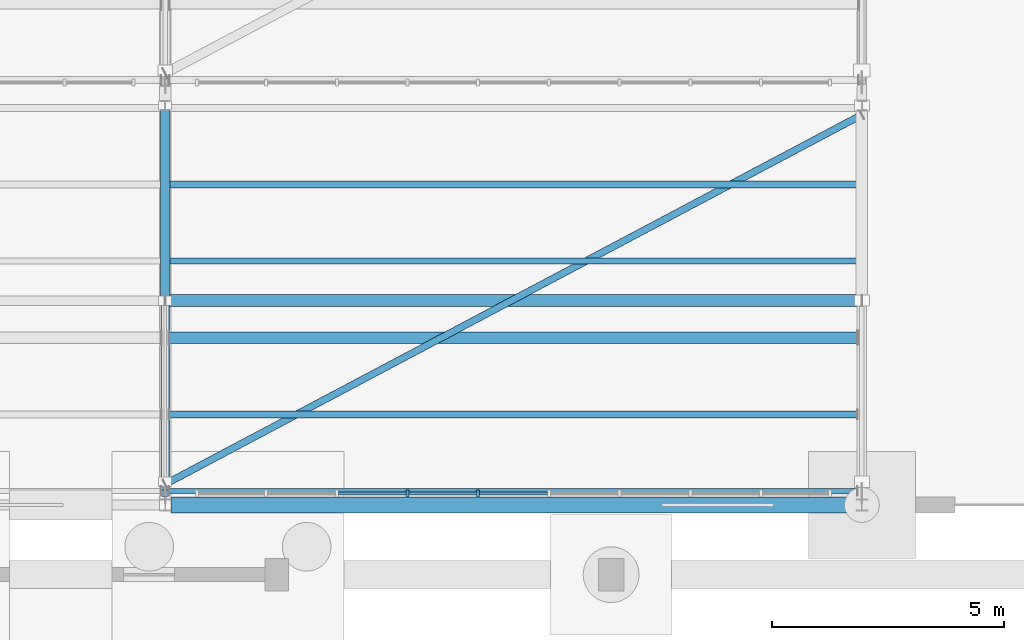
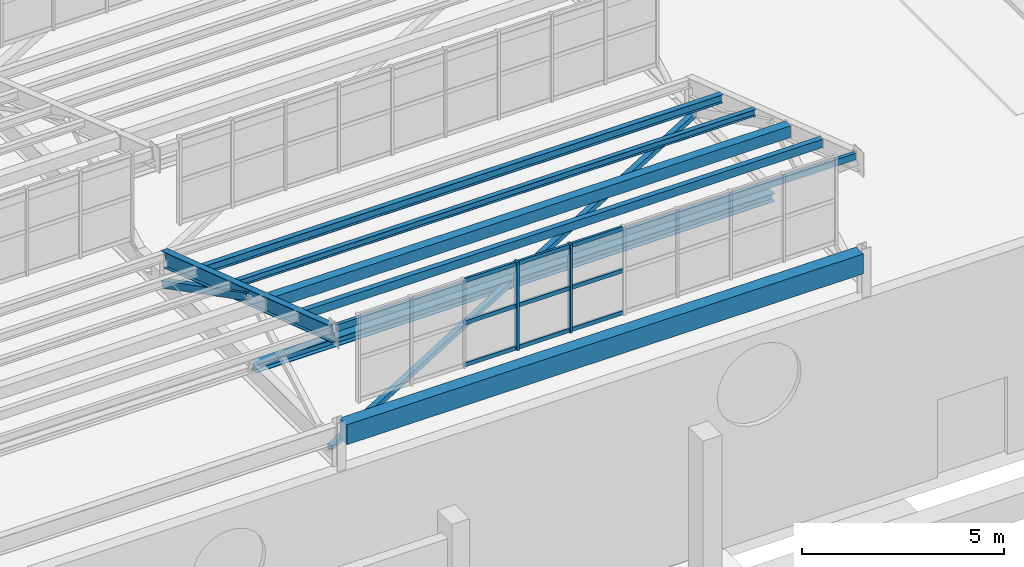
# One storey, part 47 of 285: 14 members, 7 beams, 1 element without a shape of its own.
"""IFC4 building model written with IfcOpenShell, lengths in metres."""

from ifc_helpers import new_model, si_unit, direction, frame, origin, origin_2d, place, context, subcontext, project, spatial, rectangle, hollow_rectangle, i_section, extrude, material, material_profile, profile_set, type_object, element, aggregate, save


model = new_model("IFC4")

# Units and contexts
model_context = context("Model", 3, precision=1e-05, world=origin(), true_north=direction((0.0, 1.0)))
body_context = subcontext(model_context, "Body", "Model", "MODEL_VIEW")
ifc_project = project(units=[si_unit("LENGTHUNIT", "METRE"), si_unit("AREAUNIT", "SQUARE_METRE"), si_unit("VOLUMEUNIT", "CUBIC_METRE"), si_unit("PLANEANGLEUNIT", "RADIAN"), si_unit("MASSUNIT", "GRAM", prefix="KILO")], contexts=[model_context])

# Site, building, storey
site_placement = place(None, origin())
site = spatial("IfcSite", under=ifc_project, at=site_placement, CompositionType="ELEMENT")
building_placement = place(site_placement, origin())
building = spatial("IfcBuilding", under=site, at=building_placement, Name="Solanera Park Tramway Depot", CompositionType="ELEMENT")
storey_placement = place(building_placement, origin())
storey = spatial("IfcBuildingStorey", under=building, at=storey_placement, Name="L00", CompositionType="ELEMENT", Elevation=0.0)

# Curtain wall, members
ifc_material_1 = material(Name="Bronze-anodised thermally broken aluminium curtain wall", Category="aluminium")
curtain_wall_type = type_object("IfcCurtainWallType", Name="Sawtooth Clerestory Monitor Curtain Wall", PredefinedType="NOTDEFINED", material=ifc_material_1)
curtain_wall_placement = place(storey_placement, origin())
curtain_wall = element("IfcCurtainWall", 1, at=curtain_wall_placement, inside=storey, type_object=curtain_wall_type, Name="L00 Sawtooth Clerestory Monitor Curtain Wall #003", PredefinedType="NOTDEFINED")
ifc_material_2 = material(Name="Bronze-anodised structural aluminium 6063-T6", Category="aluminium")
ifc_material_profile_1 = material_profile(ifc_material_2, rectangle(XDim=0.06494140625, YDim=0.14990234375, at=origin_2d()), Name="Curtain Wall Mullion 65x150")
ifc_profile_set_1 = profile_set([ifc_material_profile_1], Name="Bronze-anodised structural aluminium 6063-T6")
member_type_1 = type_object("IfcMemberType", Name="Curtain Wall Mullion 65x150", PredefinedType="MULLION", material=ifc_profile_set_1)
member_1_placement = place(storey_placement, frame((125.216796875, 55.75, 7.75), z_axis=(0.0, 0.0, 1.0), x_axis=(1.0, 0.0, 0.0)))
member_1 = element("IfcMember", 2, at=member_1_placement, type_object=member_type_1, Name="CW-L00-003 Mullion 4", PredefinedType="MULLION", context=body_context, shape_type="SweptSolid", body=[
    extrude(rectangle(XDim=0.06494140625, YDim=0.14990234375, at=origin_2d()), origin(), (0.0, 0.0, 1.0), 2.6611328125),
])
member_2_placement = place(storey_placement, frame((126.739013671875, 55.75, 7.75), z_axis=(0.0, 0.0, 1.0), x_axis=(1.0, 0.0, 0.0)))
member_2 = element("IfcMember", 3, at=member_2_placement, type_object=member_type_1, Name="CW-L00-003 Mullion 5", PredefinedType="MULLION", context=body_context, shape_type="SweptSolid", body=[
    extrude(rectangle(XDim=0.06494140625, YDim=0.14990234375, at=origin_2d()), origin(), (0.0, 0.0, 1.0), 2.6611328125),
])
ifc_material_3 = material(Name="Bronze-anodised structural aluminium 6063-T6", Category="aluminium")
ifc_material_profile_2 = material_profile(ifc_material_3, rectangle(XDim=0.06494140625, YDim=0.1201171875, at=origin_2d()), Name="Curtain Wall Transom 65x120")
ifc_profile_set_2 = profile_set([ifc_material_profile_2], Name="Bronze-anodised structural aluminium 6063-T6")
member_type_2 = type_object("IfcMemberType", Name="Curtain Wall Transom 65x120", PredefinedType="USERDEFINED", material=ifc_profile_set_2)
member_3_placement = place(storey_placement, frame((123.722412109375, 55.75, 7.81005859375), z_axis=(1.0, 0.0, 0.0), x_axis=(0.0, 1.0, 0.0)))
member_3 = element("IfcMember", 4, at=member_3_placement, type_object=member_type_2, Name="CW-L00-003 Transom R1.C3", ObjectType="TRANSOM", PredefinedType="USERDEFINED", context=body_context, shape_type="SweptSolid", body=[
    extrude(rectangle(XDim=0.06494140625, YDim=0.1201171875, at=origin_2d()), origin(), (0.0, 0.0, 1.0), 1.46630859375),
])
member_4_placement = place(storey_placement, frame((125.24462890625, 55.75, 7.81005859375), z_axis=(1.0, 0.0, 0.0), x_axis=(0.0, 1.0, 0.0)))
member_4 = element("IfcMember", 5, at=member_4_placement, type_object=member_type_2, Name="CW-L00-003 Transom R1.C4", ObjectType="TRANSOM", PredefinedType="USERDEFINED", context=body_context, shape_type="SweptSolid", body=[
    extrude(rectangle(XDim=0.06494140625, YDim=0.1201171875, at=origin_2d()), origin(), (0.0, 0.0, 1.0), 1.46630859375),
])
member_5_placement = place(storey_placement, frame((126.766845703125, 55.75, 7.81005859375), z_axis=(1.0, 0.0, 0.0), x_axis=(0.0, 1.0, 0.0)))
member_5 = element("IfcMember", 6, at=member_5_placement, type_object=member_type_2, Name="CW-L00-003 Transom R1.C5", ObjectType="TRANSOM", PredefinedType="USERDEFINED", context=body_context, shape_type="SweptSolid", body=[
    extrude(rectangle(XDim=0.06494140625, YDim=0.1201171875, at=origin_2d()), origin(), (0.0, 0.0, 1.0), 1.46630859375),
])
member_6_placement = place(storey_placement, frame((123.722412109375, 55.75, 9.08056640625), z_axis=(1.0, 0.0, 0.0), x_axis=(0.0, 1.0, 0.0)))
member_6 = element("IfcMember", 7, at=member_6_placement, type_object=member_type_2, Name="CW-L00-003 Transom R2.C3", ObjectType="TRANSOM", PredefinedType="USERDEFINED", context=body_context, shape_type="SweptSolid", body=[
    extrude(rectangle(XDim=0.06494140625, YDim=0.1201171875, at=origin_2d()), origin(), (0.0, 0.0, 1.0), 1.46630859375),
])
member_7_placement = place(storey_placement, frame((125.24462890625, 55.75, 9.08056640625), z_axis=(1.0, 0.0, 0.0), x_axis=(0.0, 1.0, 0.0)))
member_7 = element("IfcMember", 8, at=member_7_placement, type_object=member_type_2, Name="CW-L00-003 Transom R2.C4", ObjectType="TRANSOM", PredefinedType="USERDEFINED", context=body_context, shape_type="SweptSolid", body=[
    extrude(rectangle(XDim=0.06494140625, YDim=0.1201171875, at=origin_2d()), origin(), (0.0, 0.0, 1.0), 1.46630859375),
])
member_8_placement = place(storey_placement, frame((126.766845703125, 55.75, 9.08056640625), z_axis=(1.0, 0.0, 0.0), x_axis=(0.0, 1.0, 0.0)))
member_8 = element("IfcMember", 9, at=member_8_placement, type_object=member_type_2, Name="CW-L00-003 Transom R2.C5", ObjectType="TRANSOM", PredefinedType="USERDEFINED", context=body_context, shape_type="SweptSolid", body=[
    extrude(rectangle(XDim=0.06494140625, YDim=0.1201171875, at=origin_2d()), origin(), (0.0, 0.0, 1.0), 1.46630859375),
])
member_9_placement = place(storey_placement, frame((123.722412109375, 55.75, 10.351318359375), z_axis=(1.0, 0.0, 0.0), x_axis=(0.0, 1.0, 0.0)))
member_9 = element("IfcMember", 10, at=member_9_placement, type_object=member_type_2, Name="CW-L00-003 Transom R3.C3", ObjectType="TRANSOM", PredefinedType="USERDEFINED", context=body_context, shape_type="SweptSolid", body=[
    extrude(rectangle(XDim=0.06494140625, YDim=0.1201171875, at=origin_2d()), origin(), (0.0, 0.0, 1.0), 1.46630859375),
])
member_10_placement = place(storey_placement, frame((125.24462890625, 55.75, 10.351318359375), z_axis=(1.0, 0.0, 0.0), x_axis=(0.0, 1.0, 0.0)))
member_10 = element("IfcMember", 11, at=member_10_placement, type_object=member_type_2, Name="CW-L00-003 Transom R3.C4", ObjectType="TRANSOM", PredefinedType="USERDEFINED", context=body_context, shape_type="SweptSolid", body=[
    extrude(rectangle(XDim=0.06494140625, YDim=0.1201171875, at=origin_2d()), origin(), (0.0, 0.0, 1.0), 1.46630859375),
])
member_11_placement = place(storey_placement, frame((126.766845703125, 55.75, 10.351318359375), z_axis=(1.0, 0.0, 0.0), x_axis=(0.0, 1.0, 0.0)))
member_11 = element("IfcMember", 12, at=member_11_placement, type_object=member_type_2, Name="CW-L00-003 Transom R3.C5", ObjectType="TRANSOM", PredefinedType="USERDEFINED", context=body_context, shape_type="SweptSolid", body=[
    extrude(rectangle(XDim=0.06494140625, YDim=0.1201171875, at=origin_2d()), origin(), (0.0, 0.0, 1.0), 1.46630859375),
])
aggregate(curtain_wall, [member_1, member_2, member_3, member_4, member_5, member_6, member_7, member_8, member_9, member_10, member_11])

# Beam
ifc_material_4 = material(Name="Concrete N40 (C40/50)", Category="concrete")
ifc_material_profile_3 = material_profile(ifc_material_4, rectangle(XDim=0.35009765625, YDim=0.60009765625, at=origin_2d()), Name="SPB 350x600")
ifc_profile_set_3 = profile_set([ifc_material_profile_3], Name="Concrete N40 (C40/50)")
beam_type_1 = type_object("IfcBeamType", Name="Perimeter Spandrel Beam SPB 350x600", PredefinedType="SPANDREL", material=ifc_profile_set_3)
beam_1_placement = place(storey_placement, frame((120.1201171875, 55.5, 7.199951171875), z_axis=(1.0, 0.0, 0.0), x_axis=(0.0, 1.0, 0.0)))
element("IfcBeam", 13, at=beam_1_placement, inside=storey, type_object=beam_type_1, Name="L00 Hall Eave Spandrel SPB 350x600 #0292", PredefinedType="SPANDREL", context=body_context, shape_type="SweptSolid", body=[
    extrude(rectangle(XDim=0.35009765625, YDim=0.60009765625, at=origin_2d()), origin(), (0.0, 0.0, 1.0), 14.759765625),
])

# Member
ifc_material_5 = material(Name="Steel AS/NZS 3679.1 Grade 350", Category="steel")
ifc_material_profile_4 = material_profile(ifc_material_5, i_section(OverallWidth=0.25390625, OverallDepth=0.25390625, WebThickness=0.008544921875, FlangeThickness=0.01416015625, at=origin_2d()), Name="250UC72.9")
ifc_profile_set_4 = profile_set([ifc_material_profile_4], Name="Steel AS/NZS 3679.1 Grade 350")
member_type_3 = type_object("IfcMemberType", Name="Secondary Truss Chord 250UC72.9", PredefinedType="CHORD", material=ifc_profile_set_4)
member_12_placement = place(storey_placement, frame((120.087890625, 59.89990234375, 6.5), z_axis=(1.0, 0.0, 0.0), x_axis=(0.0, 1.0, 0.0)))
element("IfcMember", 14, at=member_12_placement, inside=storey, type_object=member_type_3, Name="Sawtooth Longitudinal Tie Chord 250UC72.9 #0044", PredefinedType="CHORD", context=body_context, shape_type="SweptSolid", body=[
    extrude(i_section(OverallWidth=0.25390625, OverallDepth=0.25390625, WebThickness=0.008544921875, FlangeThickness=0.01416015625, at=origin_2d()), origin(), (0.0, 0.0, 1.0), 14.82421875),
])

# Beams
ifc_material_6 = material(Name="Steel AS/NZS 3679.1 Grade 350", Category="steel")
ifc_material_profile_5 = material_profile(ifc_material_6, i_section(OverallWidth=0.1904296875, OverallDepth=0.45751953125, WebThickness=0.009033203125, FlangeThickness=0.014404296875, at=origin_2d()), Name="460UB74.6")
ifc_profile_set_5 = profile_set([ifc_material_profile_5], Name="Steel AS/NZS 3679.1 Grade 350")
beam_type_2 = type_object("IfcBeamType", Name="Steel Beam 460UB74.6", PredefinedType="BEAM", material=ifc_profile_set_5)
beam_2_placement = place(storey_placement, frame((120.0, 55.75, 10.05615234375), z_axis=(0.0, 0.948322229475, -0.317308917435), x_axis=(-1.0, 0.0, 0.0)))
element("IfcBeam", 15, at=beam_2_placement, inside=storey, type_object=beam_type_2, Name="Sawtooth ROOF TRUSS Top Rafter 460UB74.6 B01-T8", PredefinedType="BEAM", context=body_context, shape_type="SweptSolid", body=[
    extrude(i_section(OverallWidth=0.1904296875, OverallDepth=0.45751953125, WebThickness=0.009033203125, FlangeThickness=0.014404296875, at=origin_2d()), origin(), (0.0, 0.0, 1.0), 8.80517578125),
])
ifc_material_7 = material(Name="Steel AS/NZS 3679.1 Grade 350", Category="steel")
ifc_material_profile_6 = material_profile(ifc_material_7, i_section(OverallWidth=0.13330078125, OverallDepth=0.203125, WebThickness=0.005859375, FlangeThickness=0.0078125, at=origin_2d()), Name="200UB25.4")
ifc_profile_set_6 = profile_set([ifc_material_profile_6], Name="Steel AS/NZS 3679.1 Grade 350")
beam_type_3 = type_object("IfcBeamType", Name="Steel Joist Purlin 200UB25.4", PredefinedType="JOIST", material=ifc_profile_set_6)
beam_3_placement = place(storey_placement, frame((120.087158203125, 60.75, 8.510009765625), z_axis=(1.0, 0.0, 0.0), x_axis=(0.0, 1.0, 0.0)))
element("IfcBeam", 16, at=beam_3_placement, inside=storey, type_object=beam_type_3, Name="Sawtooth Roof Purlin 200UB25.4 B01.4", PredefinedType="JOIST", context=body_context, shape_type="SweptSolid", body=[
    extrude(i_section(OverallWidth=0.13330078125, OverallDepth=0.203125, WebThickness=0.005859375, FlangeThickness=0.0078125, at=origin_2d()), origin(), (0.0, 0.0, 1.0), 14.816162109375),
])
ifc_material_8 = material(Name="Steel AS/NZS 1163 Grade C350L0", Category="steel")
ifc_material_profile_7 = material_profile(ifc_material_8, hollow_rectangle(XDim=0.10009765625, YDim=0.199951171875, WallThickness=0.006103515625, at=origin_2d()), Name="200x100x6.0 RHS")
ifc_profile_set_7 = profile_set([ifc_material_profile_7], Name="Steel AS/NZS 1163 Grade C350L0")
beam_type_4 = type_object("IfcBeamType", Name="Steel Joist Purlin 200x100x6.0 RHS", PredefinedType="JOIST", material=ifc_profile_set_7)
beam_4_placement = place(storey_placement, frame((120.087158203125, 55.800048828125, 10.17333984375), z_axis=(1.0, 0.0, 0.0), x_axis=(0.0, 1.0, 0.0)))
element("IfcBeam", 17, at=beam_4_placement, inside=storey, type_object=beam_type_4, Name="Sawtooth Roof Purlin 200x100x6.0 RHS B01.1", PredefinedType="JOIST", context=body_context, shape_type="SweptSolid", body=[
    extrude(hollow_rectangle(XDim=0.10009765625, YDim=0.199951171875, WallThickness=0.006103515625, at=origin_2d()), origin(), (0.0, 0.0, 1.0), 14.816162109375),
])
ifc_material_9 = material(Name="Steel AS/NZS 3679.1 Grade 350", Category="steel")
ifc_material_profile_8 = material_profile(ifc_material_9, i_section(OverallWidth=0.14599609375, OverallDepth=0.251708984375, WebThickness=0.006103515625, FlangeThickness=0.008544921875, at=origin_2d()), Name="250UB31.4")
ifc_profile_set_8 = profile_set([ifc_material_profile_8], Name="Steel AS/NZS 3679.1 Grade 350")
beam_type_5 = type_object("IfcBeamType", Name="Steel Joist Purlin 250UB31.4", PredefinedType="JOIST", material=ifc_profile_set_8)
beam_5_placement = place(storey_placement, frame((120.087158203125, 62.39990234375, 7.931396484375), z_axis=(1.0, 0.0, 0.0), x_axis=(0.0, 1.0, 0.0)))
element("IfcBeam", 18, at=beam_5_placement, inside=storey, type_object=beam_type_5, Name="Sawtooth Roof Purlin 250UB31.4 B01.5", PredefinedType="JOIST", context=body_context, shape_type="SweptSolid", body=[
    extrude(i_section(OverallWidth=0.14599609375, OverallDepth=0.251708984375, WebThickness=0.006103515625, FlangeThickness=0.008544921875, at=origin_2d()), origin(), (0.0, 0.0, 1.0), 14.816162109375),
])
ifc_material_10 = material(Name="Steel AS/NZS 1163 Grade C350L0", Category="steel")
ifc_material_profile_9 = material_profile(ifc_material_10, hollow_rectangle(XDim=0.14990234375, YDim=0.25, WallThickness=0.008056640625, at=origin_2d()), Name="250x150x8.0 RHS")
ifc_profile_set_9 = profile_set([ifc_material_profile_9], Name="Steel AS/NZS 1163 Grade C350L0")
beam_type_6 = type_object("IfcBeamType", Name="Steel Joist Purlin 250x150x8.0 RHS", PredefinedType="JOIST", material=ifc_profile_set_9)
beam_6_placement = place(storey_placement, frame((120.087158203125, 57.449951171875, 9.587890625), z_axis=(1.0, 0.0, 0.0), x_axis=(0.0, 1.0, 0.0)))
element("IfcBeam", 19, at=beam_6_placement, inside=storey, type_object=beam_type_6, Name="Sawtooth Roof Purlin 250x150x8.0 RHS B01.2", PredefinedType="JOIST", context=body_context, shape_type="SweptSolid", body=[
    extrude(hollow_rectangle(XDim=0.14990234375, YDim=0.25, WallThickness=0.008056640625, at=origin_2d()), origin(), (0.0, 0.0, 1.0), 14.816162109375),
])
ifc_material_11 = material(Name="Steel AS/NZS 1163 Grade C350L0", Category="steel")
ifc_material_profile_10 = material_profile(ifc_material_11, hollow_rectangle(XDim=0.25, YDim=0.35009765625, WallThickness=0.010009765625, at=origin_2d()), Name="350x250x10.0 RHS")
ifc_profile_set_10 = profile_set([ifc_material_profile_10], Name="Steel AS/NZS 1163 Grade C350L0")
beam_type_7 = type_object("IfcBeamType", Name="Steel Joist Purlin 350x250x10.0 RHS", PredefinedType="JOIST", material=ifc_profile_set_10)
beam_7_placement = place(storey_placement, frame((120.087158203125, 59.10009765625, 8.968994140625), z_axis=(1.0, 0.0, 0.0), x_axis=(0.0, 1.0, 0.0)))
element("IfcBeam", 20, at=beam_7_placement, inside=storey, type_object=beam_type_7, Name="Sawtooth Roof Purlin 350x250x10.0 RHS B01.3", PredefinedType="JOIST", context=body_context, shape_type="SweptSolid", body=[
    extrude(hollow_rectangle(XDim=0.25, YDim=0.35009765625, WallThickness=0.010009765625, at=origin_2d()), origin(), (0.0, 0.0, 1.0), 14.816162109375),
])

# Members
ifc_material_12 = material(Name="Steel AS/NZS 1163 Grade C350L0", Category="steel")
ifc_material_profile_11 = material_profile(ifc_material_12, hollow_rectangle(XDim=0.14990234375, YDim=0.14990234375, WallThickness=0.006103515625, at=origin_2d()), Name="150x150x6.0 SHS")
ifc_profile_set_11 = profile_set([ifc_material_profile_11], Name="Steel AS/NZS 1163 Grade C350L0")
member_type_4 = type_object("IfcMemberType", Name="Truss and Frame Brace 150x150x6.0 SHS", PredefinedType="BRACE", material=ifc_profile_set_11)
member_13_placement = place(storey_placement, frame((120.001953125, 55.949951171875, 6.5), z_axis=(0.883523615038, 0.468386615598, 0.0), x_axis=(-0.468386615598, 0.883523615038, 0.0)))
element("IfcMember", 21, at=member_13_placement, inside=storey, type_object=member_type_4, Name="Roof Plane Cyclonic Brace 150x150x6.0 SHS #0045", PredefinedType="BRACE", context=body_context, shape_type="SweptSolid", body=[
    extrude(hollow_rectangle(XDim=0.14990234375, YDim=0.14990234375, WallThickness=0.006103515625, at=origin_2d()), origin(), (0.0, 0.0, 1.0), 16.97314453125),
])
ifc_material_13 = material(Name="Steel AS/NZS 1163 Grade C350L0", Category="steel")
ifc_material_profile_12 = material_profile(ifc_material_13, hollow_rectangle(XDim=0.199951171875, YDim=0.199951171875, WallThickness=0.008056640625, at=origin_2d()), Name="200x200x8.0 SHS")
ifc_profile_set_12 = profile_set([ifc_material_profile_12], Name="Steel AS/NZS 1163 Grade C350L0")
member_type_5 = type_object("IfcMemberType", Name="Truss and Frame Brace 200x200x8.0 SHS", PredefinedType="BRACE", material=ifc_profile_set_12)
member_14_placement = place(storey_placement, frame((120.0, 64.10009765625, 6.5), z_axis=(0.0, -0.888651893443, 0.45858239421), x_axis=(1.0, 0.0, 0.0)))
element("IfcMember", 22, at=member_14_placement, inside=storey, type_object=member_type_5, Name="Sawtooth ROOF TRUSS Diagonal 200x200x8.0 SHS #0029", PredefinedType="BRACE", context=body_context, shape_type="SweptSolid", body=[
    extrude(hollow_rectangle(XDim=0.199951171875, YDim=0.199951171875, WallThickness=0.008056640625, at=origin_2d()), origin(), (0.0, 0.0, 1.0), 4.7265625),
])

save(model, "model.ifc")
